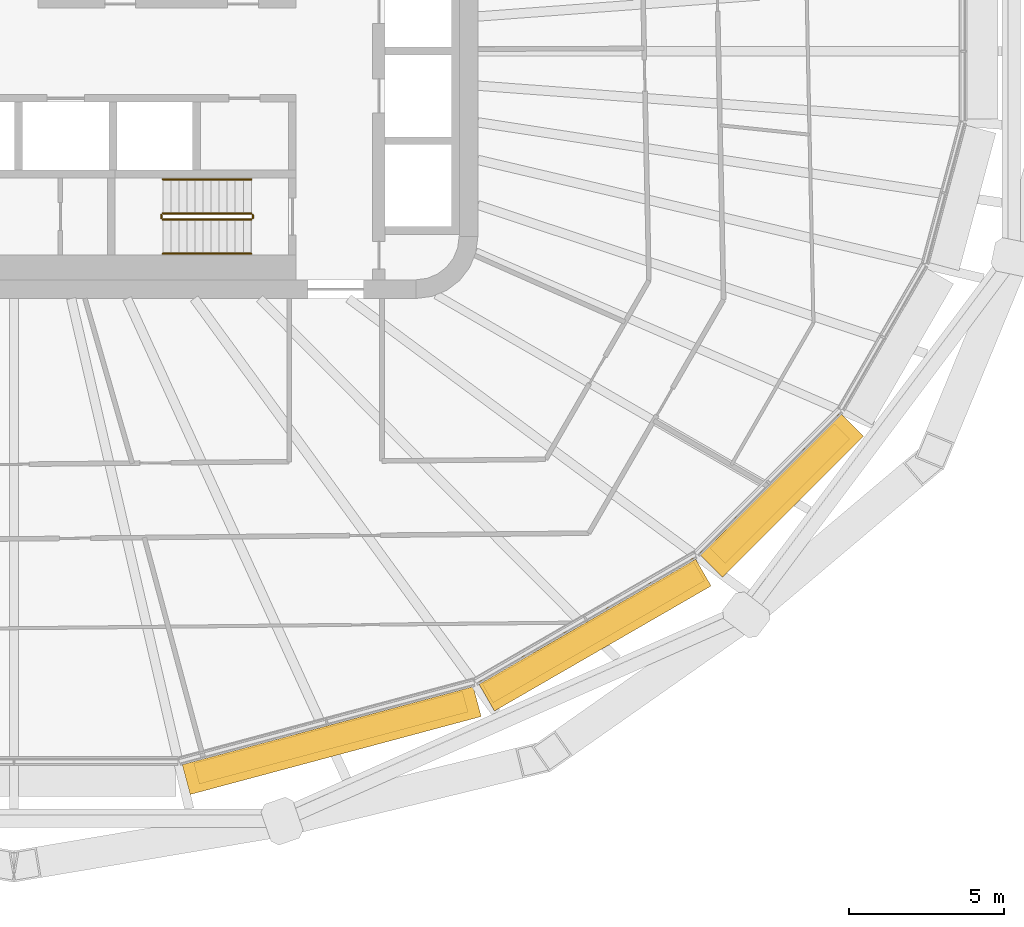
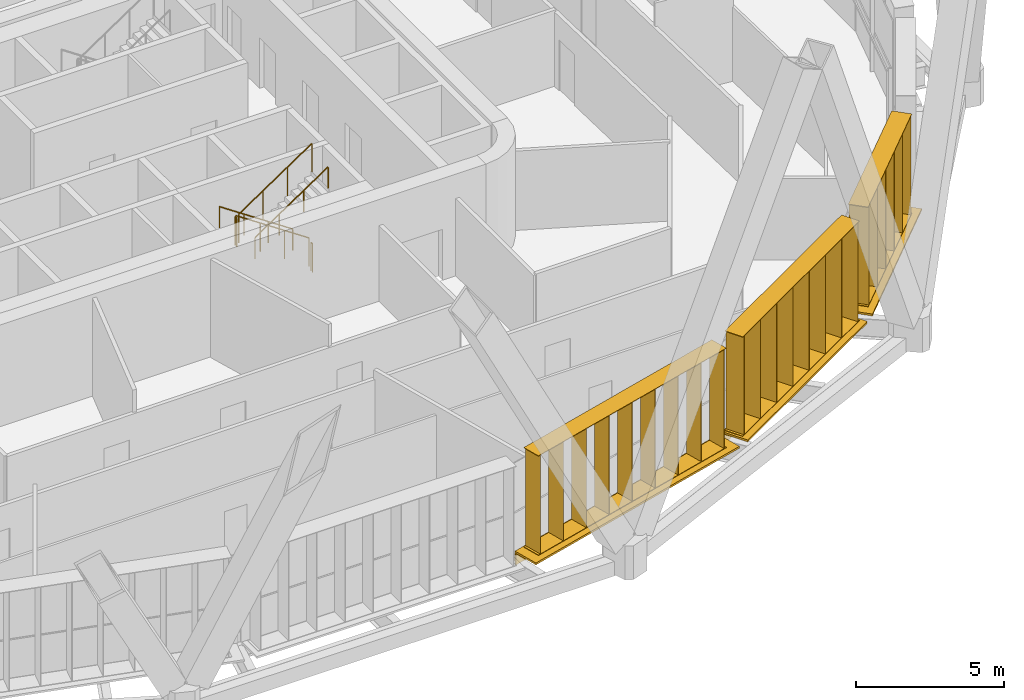
# One storey, part 22 of 25: 6 railings, 6 shading devices.
"""IFC4 building model written with IfcOpenShell, lengths in metres."""

from ifc_helpers import new_model, si_unit, direction, frame, origin, origin_2d, place, context, subcontext, project, spatial, rectangle, circle, extrude, material, type_object, element, save


model = new_model("IFC4")

# Units and contexts
model_context = context("Model", 3, precision=1e-05, world=origin(), true_north=direction((0.0, 1.0)))
body_context = subcontext(model_context, "Body", "Model", "MODEL_VIEW")
ifc_project = project(units=[si_unit("LENGTHUNIT", "METRE"), si_unit("AREAUNIT", "SQUARE_METRE"), si_unit("VOLUMEUNIT", "CUBIC_METRE"), si_unit("PLANEANGLEUNIT", "RADIAN"), si_unit("MASSUNIT", "GRAM", prefix="KILO")], contexts=[model_context])

# Site, building, storey
site_placement = place(None, origin())
site = spatial("IfcSite", under=ifc_project, at=site_placement, CompositionType="ELEMENT")
building_placement = place(site_placement, origin())
building = spatial("IfcBuilding", under=site, at=building_placement, Name="Sahrelin Media Tower", CompositionType="ELEMENT")
storey_placement = place(building_placement, frame((0.0, 0.0, 63.0)))
storey = spatial("IfcBuildingStorey", under=building, at=storey_placement, Name="L10", CompositionType="ELEMENT", Elevation=63.0)

# Shading devices
ifc_material_1 = material(Name="Champagne anodised aluminium 6063-T6", Category="aluminium")
shading_device_type_1 = type_object("IfcShadingDeviceType", Name="Fin cassette", PredefinedType="USERDEFINED", material=ifc_material_1)
placement_1 = place(storey_placement, frame((10.139404296875, -21.791015625, 0.0), z_axis=(0.0, 0.0, 1.0), x_axis=(-0.965928857556, -0.258807731996, 0.0)))
element("IfcShadingDevice", 1, at=placement_1, inside=storey, type_object=shading_device_type_1, Name="L10:FIN:L10-19", ObjectType="FIN", PredefinedType="USERDEFINED", context=body_context, shape_type="SweptSolid", body=[
    extrude(rectangle(XDim=9.0, YDim=0.699951171875, at=origin_2d()), frame((0.0, 0.419921875, 0.0)), (0.0, 0.0, 1.0), 0.02001953125),
    extrude(rectangle(XDim=9.0, YDim=0.699951171875, at=origin_2d()), frame((0.0, 0.419921875, 4.10009765625)), (0.0, 0.0, 1.0), 0.02001953125),
    extrude(rectangle(XDim=0.02001953125, YDim=0.699951171875, at=origin_2d()), frame((-4.39990234375, 0.419921875, 0.010009765625), z_axis=(0.0, 0.0, 1.0), x_axis=(1.0, 0.0, 0.0)), (0.0, 0.0, 1.0), 4.10009765625),
    extrude(rectangle(XDim=0.02001953125, YDim=0.699951171875, at=origin_2d()), frame((-3.300048828125, 0.419921875, 0.010009765625), z_axis=(0.0, 0.0, 1.0), x_axis=(1.0, 0.0, 0.0)), (0.0, 0.0, 1.0), 4.10009765625),
    extrude(rectangle(XDim=0.02001953125, YDim=0.699951171875, at=origin_2d()), frame((-2.199951171875, 0.419921875, 0.010009765625), z_axis=(0.0, 0.0, 1.0), x_axis=(1.0, 0.0, 0.0)), (0.0, 0.0, 1.0), 4.10009765625),
    extrude(rectangle(XDim=0.02001953125, YDim=0.699951171875, at=origin_2d()), frame((-1.10009765625, 0.419921875, 0.010009765625), z_axis=(0.0, 0.0, 1.0), x_axis=(1.0, 0.0, 0.0)), (0.0, 0.0, 1.0), 4.10009765625),
    extrude(rectangle(XDim=0.02001953125, YDim=0.699951171875, at=origin_2d()), frame((0.0, 0.419921875, 0.010009765625), z_axis=(0.0, 0.0, 1.0), x_axis=(1.0, 0.0, 0.0)), (0.0, 0.0, 1.0), 4.10009765625),
    extrude(rectangle(XDim=0.02001953125, YDim=0.699951171875, at=origin_2d()), frame((1.10009765625, 0.419921875, 0.010009765625), z_axis=(0.0, 0.0, 1.0), x_axis=(1.0, 0.0, 0.0)), (0.0, 0.0, 1.0), 4.10009765625),
    extrude(rectangle(XDim=0.02001953125, YDim=0.699951171875, at=origin_2d()), frame((2.199951171875, 0.419921875, 0.010009765625), z_axis=(0.0, 0.0, 1.0), x_axis=(1.0, 0.0, 0.0)), (0.0, 0.0, 1.0), 4.10009765625),
    extrude(rectangle(XDim=0.02001953125, YDim=0.699951171875, at=origin_2d()), frame((3.300048828125, 0.419921875, 0.010009765625), z_axis=(0.0, 0.0, 1.0), x_axis=(1.0, 0.0, 0.0)), (0.0, 0.0, 1.0), 4.10009765625),
    extrude(rectangle(XDim=0.02001953125, YDim=0.699951171875, at=origin_2d()), frame((4.39990234375, 0.419921875, 0.010009765625), z_axis=(0.0, 0.0, 1.0), x_axis=(1.0, 0.0, 0.0)), (0.0, 0.0, 1.0), 4.10009765625),
])
placement_2 = place(storey_placement, frame((18.529296875, -18.4326171875, 0.0), z_axis=(0.0, 0.0, 1.0), x_axis=(-0.866019052629, -0.500011000363, 0.0)))
element("IfcShadingDevice", 2, at=placement_2, inside=storey, type_object=shading_device_type_1, Name="L10:FIN:L10-20", ObjectType="FIN", PredefinedType="USERDEFINED", context=body_context, shape_type="SweptSolid", body=[
    extrude(rectangle(XDim=7.89990234375, YDim=0.699951171875, at=origin_2d()), frame((0.0, 0.419921875, 0.0)), (0.0, 0.0, 1.0), 0.02001953125),
    extrude(rectangle(XDim=7.89990234375, YDim=0.699951171875, at=origin_2d()), frame((0.0, 0.419921875, 4.10009765625)), (0.0, 0.0, 1.0), 0.02001953125),
    extrude(rectangle(XDim=0.02001953125, YDim=0.699951171875, at=origin_2d()), frame((-3.85009765625, 0.419921875, 0.010009765625), z_axis=(0.0, 0.0, 1.0), x_axis=(1.0, 0.0, 0.0)), (0.0, 0.0, 1.0), 4.10009765625),
    extrude(rectangle(XDim=0.02001953125, YDim=0.699951171875, at=origin_2d()), frame((-2.75, 0.419921875, 0.010009765625), z_axis=(0.0, 0.0, 1.0), x_axis=(1.0, 0.0, 0.0)), (0.0, 0.0, 1.0), 4.10009765625),
    extrude(rectangle(XDim=0.02001953125, YDim=0.699951171875, at=origin_2d()), frame((-1.64990234375, 0.419921875, 0.010009765625), z_axis=(0.0, 0.0, 1.0), x_axis=(1.0, 0.0, 0.0)), (0.0, 0.0, 1.0), 4.10009765625),
    extrude(rectangle(XDim=0.02001953125, YDim=0.699951171875, at=origin_2d()), frame((-0.550048828125, 0.419921875, 0.010009765625), z_axis=(0.0, 0.0, 1.0), x_axis=(1.0, 0.0, 0.0)), (0.0, 0.0, 1.0), 4.10009765625),
    extrude(rectangle(XDim=0.02001953125, YDim=0.699951171875, at=origin_2d()), frame((0.550048828125, 0.419921875, 0.010009765625), z_axis=(0.0, 0.0, 1.0), x_axis=(1.0, 0.0, 0.0)), (0.0, 0.0, 1.0), 4.10009765625),
    extrude(rectangle(XDim=0.02001953125, YDim=0.699951171875, at=origin_2d()), frame((1.64990234375, 0.419921875, 0.010009765625), z_axis=(0.0, 0.0, 1.0), x_axis=(1.0, 0.0, 0.0)), (0.0, 0.0, 1.0), 4.10009765625),
    extrude(rectangle(XDim=0.02001953125, YDim=0.699951171875, at=origin_2d()), frame((2.75, 0.419921875, 0.010009765625), z_axis=(0.0, 0.0, 1.0), x_axis=(1.0, 0.0, 0.0)), (0.0, 0.0, 1.0), 4.10009765625),
    extrude(rectangle(XDim=0.02001953125, YDim=0.699951171875, at=origin_2d()), frame((3.85009765625, 0.419921875, 0.010009765625), z_axis=(0.0, 0.0, 1.0), x_axis=(1.0, 0.0, 0.0)), (0.0, 0.0, 1.0), 4.10009765625),
])
placement_3 = place(storey_placement, frame((24.46728515625, -14.011474609375, 0.0), z_axis=(0.0, 0.0, 1.0), x_axis=(-0.707106781187, -0.707106781187, 0.0)))
element("IfcShadingDevice", 3, at=placement_3, inside=storey, type_object=shading_device_type_1, Name="L10:FIN:L10-21", ObjectType="FIN", PredefinedType="USERDEFINED", context=body_context, shape_type="SweptSolid", body=[
    extrude(rectangle(XDim=5.699951171875, YDim=0.699951171875, at=origin_2d()), frame((0.0, 0.419921875, 0.0)), (0.0, 0.0, 1.0), 0.02001953125),
    extrude(rectangle(XDim=5.699951171875, YDim=0.699951171875, at=origin_2d()), frame((0.0, 0.419921875, 4.10009765625)), (0.0, 0.0, 1.0), 0.02001953125),
    extrude(rectangle(XDim=0.02001953125, YDim=0.699951171875, at=origin_2d()), frame((-2.75, 0.419921875, 0.010009765625), z_axis=(0.0, 0.0, 1.0), x_axis=(1.0, 0.0, 0.0)), (0.0, 0.0, 1.0), 4.10009765625),
    extrude(rectangle(XDim=0.02001953125, YDim=0.699951171875, at=origin_2d()), frame((-1.64990234375, 0.419921875, 0.010009765625), z_axis=(0.0, 0.0, 1.0), x_axis=(1.0, 0.0, 0.0)), (0.0, 0.0, 1.0), 4.10009765625),
    extrude(rectangle(XDim=0.02001953125, YDim=0.699951171875, at=origin_2d()), frame((-0.550048828125, 0.419921875, 0.010009765625), z_axis=(0.0, 0.0, 1.0), x_axis=(1.0, 0.0, 0.0)), (0.0, 0.0, 1.0), 4.10009765625),
    extrude(rectangle(XDim=0.02001953125, YDim=0.699951171875, at=origin_2d()), frame((0.550048828125, 0.419921875, 0.010009765625), z_axis=(0.0, 0.0, 1.0), x_axis=(1.0, 0.0, 0.0)), (0.0, 0.0, 1.0), 4.10009765625),
    extrude(rectangle(XDim=0.02001953125, YDim=0.699951171875, at=origin_2d()), frame((1.64990234375, 0.419921875, 0.010009765625), z_axis=(0.0, 0.0, 1.0), x_axis=(1.0, 0.0, 0.0)), (0.0, 0.0, 1.0), 4.10009765625),
    extrude(rectangle(XDim=0.02001953125, YDim=0.699951171875, at=origin_2d()), frame((2.75, 0.419921875, 0.010009765625), z_axis=(0.0, 0.0, 1.0), x_axis=(1.0, 0.0, 0.0)), (0.0, 0.0, 1.0), 4.10009765625),
])

# Railings
ifc_material_2 = material(Name="Steel S355", Category="steel")
railing_type_1 = type_object("IfcRailingType", Name="Stair guard 1200", PredefinedType="GUARDRAIL", material=ifc_material_2)
railing_1_placement = place(storey_placement, frame((7.675048828125, -5.25, 0.175048828125)))
element("IfcRailing", 4, at=railing_1_placement, inside=storey, type_object=railing_type_1, Name="L10 ST2 stair guard 1", PredefinedType="GUARDRAIL", context=body_context, shape_type="SweptSolid", body=[
    extrude(circle(Radius=0.02392578125, at=origin_2d()), frame((0.0, 0.0, 1.17578125), z_axis=(-0.829590901723, 0.0, 0.558371682465), x_axis=(0.0, -1.0, 0.0)), (0.0, 0.0, 1.0), 3.447509765625),
    extrude(circle(Radius=0.02099609375, at=origin_2d()), origin(), (0.0, 0.0, 1.0), 1.15185546875),
    extrude(circle(Radius=0.02099609375, at=origin_2d()), frame((-0.953369140625, 0.0, 0.6416015625)), (0.0, 0.0, 1.0), 1.15185546875),
    extrude(circle(Radius=0.02099609375, at=origin_2d()), frame((-1.90673828125, 0.0, 1.283447265625)), (0.0, 0.0, 1.0), 1.15185546875),
    extrude(circle(Radius=0.02099609375, at=origin_2d()), frame((-2.860107421875, 0.0, 1.925048828125)), (0.0, 0.0, 1.0), 1.15185546875),
])
railing_2_placement = place(storey_placement, frame((4.764892578125, -5.300048828125, 2.10009765625)))
element("IfcRailing", 5, at=railing_2_placement, inside=storey, type_object=railing_type_1, Name="L10 ST2 stair guard 2", PredefinedType="GUARDRAIL", context=body_context, shape_type="SweptSolid", body=[
    extrude(circle(Radius=0.02392578125, at=origin_2d()), frame((0.0, 0.0, 1.17578125), z_axis=(0.0, -1.0, 0.0), x_axis=(1.0, 0.0, 0.0)), (0.0, 0.0, 1.0), 0.099853515625),
    extrude(circle(Radius=0.02099609375, at=origin_2d()), origin(), (0.0, 0.0, 1.0), 1.15185546875),
    extrude(circle(Radius=0.02099609375, at=origin_2d()), frame((0.0, -0.099853515625, 0.0)), (0.0, 0.0, 1.0), 1.15185546875),
])
railing_3_placement = place(storey_placement, frame((4.81494140625, -5.449951171875, 2.27490234375)))
element("IfcRailing", 6, at=railing_3_placement, inside=storey, type_object=railing_type_1, Name="L10 ST2 stair guard 3", PredefinedType="GUARDRAIL", context=body_context, shape_type="SweptSolid", body=[
    extrude(circle(Radius=0.02392578125, at=origin_2d()), frame((0.0, 0.0, 1.17578125), z_axis=(0.829590901723, 0.0, 0.558371682465), x_axis=(0.0, 1.0, 0.0)), (0.0, 0.0, 1.0), 3.447509765625),
    extrude(circle(Radius=0.02099609375, at=origin_2d()), origin(), (0.0, 0.0, 1.0), 1.15185546875),
    extrude(circle(Radius=0.02099609375, at=origin_2d()), frame((0.953369140625, 0.0, 0.6416015625)), (0.0, 0.0, 1.0), 1.15185546875),
    extrude(circle(Radius=0.02099609375, at=origin_2d()), frame((1.90673828125, 0.0, 1.283447265625)), (0.0, 0.0, 1.0), 1.15185546875),
    extrude(circle(Radius=0.02099609375, at=origin_2d()), frame((2.860107421875, 0.0, 1.925048828125)), (0.0, 0.0, 1.0), 1.15185546875),
])
railing_4_placement = place(storey_placement, frame((7.72509765625, -5.300048828125, 0.0)))
element("IfcRailing", 7, at=railing_4_placement, inside=storey, type_object=railing_type_1, Name="L10 ST2 stair guard 4", PredefinedType="GUARDRAIL", context=body_context, shape_type="SweptSolid", body=[
    extrude(circle(Radius=0.02392578125, at=origin_2d()), frame((0.0, 0.0, 1.17578125), z_axis=(0.0, -1.0, 0.0), x_axis=(1.0, 0.0, 0.0)), (0.0, 0.0, 1.0), 0.099853515625),
    extrude(circle(Radius=0.02099609375, at=origin_2d()), origin(), (0.0, 0.0, 1.0), 1.15185546875),
    extrude(circle(Radius=0.02099609375, at=origin_2d()), frame((0.0, -0.099853515625, 0.0)), (0.0, 0.0, 1.0), 1.15185546875),
])
railing_type_2 = type_object("IfcRailingType", Name="Stair handrail 900", PredefinedType="HANDRAIL", material=ifc_material_2)
railing_5_placement = place(storey_placement, frame((7.675048828125, -4.14990234375, 0.175048828125)))
element("IfcRailing", 8, at=railing_5_placement, inside=storey, type_object=railing_type_2, Name="L10 ST2 stair handrail 1", PredefinedType="HANDRAIL", context=body_context, shape_type="SweptSolid", body=[
    extrude(circle(Radius=0.02392578125, at=origin_2d()), frame((0.0, 0.0, 0.8759765625), z_axis=(-0.829590901723, 0.0, 0.558371682465), x_axis=(0.0, -1.0, 0.0)), (0.0, 0.0, 1.0), 3.447509765625),
    extrude(circle(Radius=0.02099609375, at=origin_2d()), origin(), (0.0, 0.0, 1.0), 0.851806640625),
    extrude(circle(Radius=0.02099609375, at=origin_2d()), frame((-0.953369140625, 0.0, 0.6416015625)), (0.0, 0.0, 1.0), 0.851806640625),
    extrude(circle(Radius=0.02099609375, at=origin_2d()), frame((-1.90673828125, 0.0, 1.283447265625)), (0.0, 0.0, 1.0), 0.851806640625),
    extrude(circle(Radius=0.02099609375, at=origin_2d()), frame((-2.860107421875, 0.0, 1.925048828125)), (0.0, 0.0, 1.0), 0.851806640625),
])
railing_6_placement = place(storey_placement, frame((4.81494140625, -6.550048828125, 2.27490234375)))
element("IfcRailing", 9, at=railing_6_placement, inside=storey, type_object=railing_type_2, Name="L10 ST2 stair handrail 2", PredefinedType="HANDRAIL", context=body_context, shape_type="SweptSolid", body=[
    extrude(circle(Radius=0.02392578125, at=origin_2d()), frame((0.0, 0.0, 0.8759765625), z_axis=(0.829590901723, 0.0, 0.558371682465), x_axis=(0.0, 1.0, 0.0)), (0.0, 0.0, 1.0), 3.447509765625),
    extrude(circle(Radius=0.02099609375, at=origin_2d()), origin(), (0.0, 0.0, 1.0), 0.851806640625),
    extrude(circle(Radius=0.02099609375, at=origin_2d()), frame((0.953369140625, 0.0, 0.6416015625)), (0.0, 0.0, 1.0), 0.851806640625),
    extrude(circle(Radius=0.02099609375, at=origin_2d()), frame((1.90673828125, 0.0, 1.283447265625)), (0.0, 0.0, 1.0), 0.851806640625),
    extrude(circle(Radius=0.02099609375, at=origin_2d()), frame((2.860107421875, 0.0, 1.925048828125)), (0.0, 0.0, 1.0), 0.851806640625),
])

# Shading devices
shading_device_type_2 = type_object("IfcShadingDeviceType", Name="Sunshade band", PredefinedType="USERDEFINED", material=ifc_material_1)
element("IfcShadingDevice", 10, at=placement_1, inside=storey, type_object=shading_device_type_2, Name="L10:SUN:L10-19", ObjectType="SUNSHADE", PredefinedType="USERDEFINED", context=body_context, shape_type="SweptSolid", body=[
    extrude(rectangle(XDim=9.74072265625, YDim=0.050048828125, at=origin_2d()), frame((0.0, 0.044921875, -0.55126953125)), (0.0, 0.0, 1.0), 0.471435546875),
    extrude(rectangle(XDim=9.74072265625, YDim=1.0, at=origin_2d()), frame((0.0, 0.52001953125, -0.080078125)), (0.0, 0.0, 1.0), 0.080078125),
    extrude(rectangle(XDim=0.10009765625, YDim=0.074951171875, at=origin_2d()), frame((-4.7705078125, -0.017578125, -0.47021484375)), (0.0, 0.0, 1.0), 0.300048828125),
    extrude(rectangle(XDim=0.10009765625, YDim=0.074951171875, at=origin_2d()), frame((-2.8623046875, -0.017578125, -0.47021484375)), (0.0, 0.0, 1.0), 0.300048828125),
    extrude(rectangle(XDim=0.10009765625, YDim=0.074951171875, at=origin_2d()), frame((-0.9541015625, -0.017578125, -0.47021484375)), (0.0, 0.0, 1.0), 0.300048828125),
    extrude(rectangle(XDim=0.10009765625, YDim=0.074951171875, at=origin_2d()), frame((0.9541015625, -0.017578125, -0.47021484375)), (0.0, 0.0, 1.0), 0.300048828125),
    extrude(rectangle(XDim=0.10009765625, YDim=0.074951171875, at=origin_2d()), frame((2.8623046875, -0.017578125, -0.47021484375)), (0.0, 0.0, 1.0), 0.300048828125),
    extrude(rectangle(XDim=0.10009765625, YDim=0.074951171875, at=origin_2d()), frame((4.7705078125, -0.017578125, -0.47021484375)), (0.0, 0.0, 1.0), 0.300048828125),
])
element("IfcShadingDevice", 11, at=placement_2, inside=storey, type_object=shading_device_type_2, Name="L10:SUN:L10-20", ObjectType="SUNSHADE", PredefinedType="USERDEFINED", context=body_context, shape_type="SweptSolid", body=[
    extrude(rectangle(XDim=8.088134765625, YDim=0.050048828125, at=origin_2d()), frame((0.0, 0.044921875, -0.55126953125)), (0.0, 0.0, 1.0), 0.471435546875),
    extrude(rectangle(XDim=8.088134765625, YDim=1.0, at=origin_2d()), frame((0.0, 0.52001953125, -0.080078125)), (0.0, 0.0, 1.0), 0.080078125),
    extrude(rectangle(XDim=0.10009765625, YDim=0.074951171875, at=origin_2d()), frame((-3.944091796875, -0.017578125, -0.47021484375)), (0.0, 0.0, 1.0), 0.300048828125),
    extrude(rectangle(XDim=0.10009765625, YDim=0.074951171875, at=origin_2d()), frame((-2.366455078125, -0.017578125, -0.47021484375)), (0.0, 0.0, 1.0), 0.300048828125),
    extrude(rectangle(XDim=0.10009765625, YDim=0.074951171875, at=origin_2d()), frame((-0.788818359375, -0.017578125, -0.47021484375)), (0.0, 0.0, 1.0), 0.300048828125),
    extrude(rectangle(XDim=0.10009765625, YDim=0.074951171875, at=origin_2d()), frame((0.788818359375, -0.017578125, -0.47021484375)), (0.0, 0.0, 1.0), 0.300048828125),
    extrude(rectangle(XDim=0.10009765625, YDim=0.074951171875, at=origin_2d()), frame((2.366455078125, -0.017578125, -0.47021484375)), (0.0, 0.0, 1.0), 0.300048828125),
    extrude(rectangle(XDim=0.10009765625, YDim=0.074951171875, at=origin_2d()), frame((3.944091796875, -0.017578125, -0.47021484375)), (0.0, 0.0, 1.0), 0.300048828125),
])
element("IfcShadingDevice", 12, at=placement_3, inside=storey, type_object=shading_device_type_2, Name="L10:SUN:L10-21", ObjectType="SUNSHADE", PredefinedType="USERDEFINED", context=body_context, shape_type="SweptSolid", body=[
    extrude(rectangle(XDim=6.443603515625, YDim=0.050048828125, at=origin_2d()), frame((0.0, 0.044921875, -0.55126953125)), (0.0, 0.0, 1.0), 0.471435546875),
    extrude(rectangle(XDim=6.443603515625, YDim=1.0, at=origin_2d()), frame((0.0, 0.52001953125, -0.080078125)), (0.0, 0.0, 1.0), 0.080078125),
    extrude(rectangle(XDim=0.10009765625, YDim=0.074951171875, at=origin_2d()), frame((-3.121826171875, -0.017578125, -0.47021484375)), (0.0, 0.0, 1.0), 0.300048828125),
    extrude(rectangle(XDim=0.10009765625, YDim=0.074951171875, at=origin_2d()), frame((-1.560791015625, -0.017578125, -0.47021484375)), (0.0, 0.0, 1.0), 0.300048828125),
    extrude(rectangle(XDim=0.10009765625, YDim=0.074951171875, at=origin_2d()), frame((0.0, -0.017578125, -0.47021484375)), (0.0, 0.0, 1.0), 0.300048828125),
    extrude(rectangle(XDim=0.10009765625, YDim=0.074951171875, at=origin_2d()), frame((1.560791015625, -0.017578125, -0.47021484375)), (0.0, 0.0, 1.0), 0.300048828125),
    extrude(rectangle(XDim=0.10009765625, YDim=0.074951171875, at=origin_2d()), frame((3.121826171875, -0.017578125, -0.47021484375)), (0.0, 0.0, 1.0), 0.300048828125),
])

save(model, "model.ifc")
